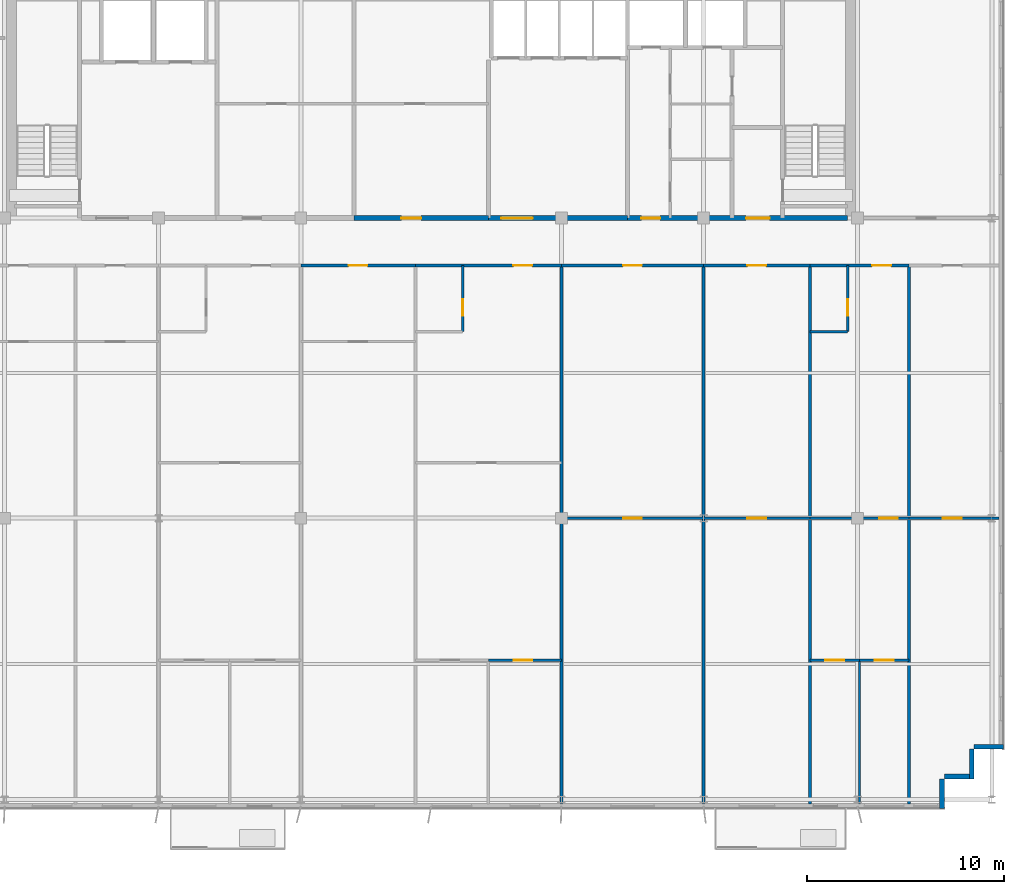
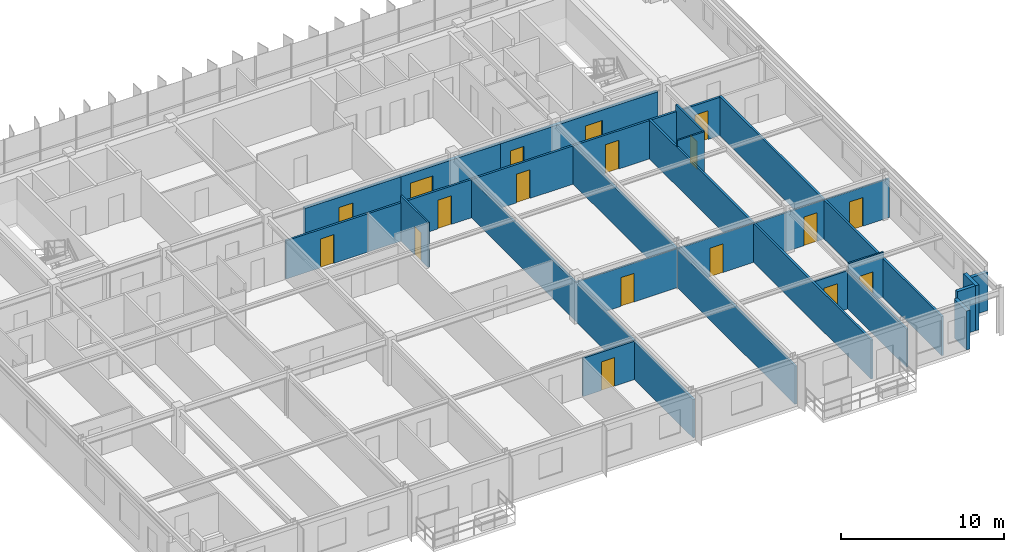
# One storey, part 18 of 23: 27 walls, 18 doors, 18 openings.
"""IFC4 building model written with IfcOpenShell, lengths in metres."""

import ifcopenshell
import ifcopenshell.guid

model = None  # the IFC model being written
_history = None  # IfcOwnerHistory: only IFC2X3 demands one
_inside = {}  # id of a spatial element -> (the spatial element, [elements in it])
_under = {}  # id of a project, library or spatial element -> (it, [spatial elements below it])
_declared = {}  # id of a project -> (the project, [libraries it declares])
_typed = {}  # id of a type object -> (the type object, [elements of that type])
_made_of = {}  # id of a material, layer set ... -> (it, [elements and type objects made of it])


def new_model(schema):
    """Start an empty IFC model of exactly this schema.

    Asked for "IFC4X3", IfcOpenShell would pick the latest addendum, in which some entities
    have other attributes; the version numbers below select the first issue.
    IFC2X3 requires an IfcOwnerHistory on every rooted entity: one is made here for all.
    """
    global model, _history
    if schema == "IFC4X3":
        model = ifcopenshell.file(schema_version=(4, 3, 0, 0))
    else:
        model = ifcopenshell.file(schema=schema)
    _inside.clear()
    _under.clear()
    _declared.clear()
    _typed.clear()
    _made_of.clear()
    _history = None
    if model.schema == "IFC2X3":
        org = make("IfcOrganization", Name="unknown")
        user = make(
            "IfcPersonAndOrganization",
            ThePerson=make("IfcPerson", FamilyName="unknown"),
            TheOrganization=org,
        )
        app = make(
            "IfcApplication",
            ApplicationDeveloper=org,
            Version="unknown",
            ApplicationFullName="unknown",
            ApplicationIdentifier="unknown",
        )
        _history = make(
            "IfcOwnerHistory",
            OwningUser=user,
            OwningApplication=app,
            ChangeAction="ADDED",
            CreationDate=0,
        )
    return model


def make(cls, **values):
    """One entity of the class cls with the attributes given. An attribute that is None is left unset."""
    return model.create_entity(
        cls, **{name: value for name, value in values.items() if value is not None}
    )


def rooted(cls, **values):
    """An entity with a GlobalId (a new one), such as an element, a storey or a relation."""
    return make(cls, GlobalId=ifcopenshell.guid.new(), OwnerHistory=_history, **values)


def si_unit(unit_type, name, prefix=None):
    """IfcSIUnit, for example si_unit("LENGTHUNIT", "METRE", prefix="MILLI")."""
    return make("IfcSIUnit", UnitType=unit_type, Prefix=prefix, Name=name)


def assignment(units):
    """IfcUnitAssignment: the units of a project."""
    return None if units is None else make("IfcUnitAssignment", Units=units)


def point(xyz):
    """IfcCartesianPoint."""
    return None if xyz is None else make("IfcCartesianPoint", Coordinates=xyz)


def direction(xyz):
    """IfcDirection."""
    return None if xyz is None else make("IfcDirection", DirectionRatios=xyz)


def frame(location, z_axis=None, x_axis=None):
    """IfcAxis2Placement3D, a coordinate frame: its origin and axes. An axis left out is left unset."""
    return make(
        "IfcAxis2Placement3D",
        Location=point(location),
        Axis=direction(z_axis),
        RefDirection=direction(x_axis),
    )


def frame_2d(location, x_axis=None):
    """IfcAxis2Placement2D, a coordinate frame in the plane: its origin and x axis."""
    return make(
        "IfcAxis2Placement2D", Location=point(location), RefDirection=direction(x_axis)
    )


def origin():
    """The frame at (0, 0, 0) with its axes left unset."""
    return frame((0.0, 0.0, 0.0))


def place(relative_to, where):
    """IfcLocalPlacement: puts the frame where relative to a parent placement (None: the world)."""
    return make(
        "IfcLocalPlacement", PlacementRelTo=relative_to, RelativePlacement=where
    )


def context(
    kind, dimensions, precision=None, world=None, true_north=None, identifier=None
):
    """IfcGeometricRepresentationContext, for example the 3D "Model" context."""
    return make(
        "IfcGeometricRepresentationContext",
        ContextIdentifier=identifier,
        ContextType=kind,
        CoordinateSpaceDimension=dimensions,
        Precision=precision,
        WorldCoordinateSystem=world,
        TrueNorth=true_north,
    )


def subcontext(parent, identifier, kind, view, scale=None):
    """IfcGeometricRepresentationSubContext, for example "Body" below "Model"."""
    return make(
        "IfcGeometricRepresentationSubContext",
        ContextIdentifier=identifier,
        ContextType=kind,
        ParentContext=parent,
        TargetScale=scale,
        TargetView=view,
    )


def project(units=None, contexts=None):
    """IfcProject with its units and contexts."""
    return rooted(
        "IfcProject",
        Name="project",
        RepresentationContexts=contexts,
        UnitsInContext=assignment(units),
    )


def spatial(cls, under=None, at=None, **own):
    """A site, building, storey or space (cls), placed at a placement, below another one or the project."""
    s = rooted(cls, ObjectPlacement=at, **own)
    if under is not None:
        _under.setdefault(under.id(), (under, []))[1].append(s)
    return s


def profile(cls, at=None, kind="AREA", **sizes):
    """A parametric profile (cls). Its sizes go by their IFC names, for example OverallWidth=200.0."""
    return make(cls, ProfileType=kind, Position=at, **sizes)


def rectangle(**sizes):
    """IfcRectangleProfileDef."""
    return profile("IfcRectangleProfileDef", **sizes)


def extrude(swept, where, along, depth):
    """IfcExtrudedAreaSolid: the profile swept, set in the frame where, extruded along a direction by depth."""
    return make(
        "IfcExtrudedAreaSolid",
        SweptArea=swept,
        Position=where,
        ExtrudedDirection=direction(along),
        Depth=depth,
    )


def shape(context_of_items, identifier, shape_type, items):
    """IfcShapeRepresentation: the items that make up one representation, for example the "Body"."""
    return make(
        "IfcShapeRepresentation",
        ContextOfItems=context_of_items,
        RepresentationIdentifier=identifier,
        RepresentationType=shape_type,
        Items=items,
    )


def source(mapping_origin, context_of_items, identifier, shape_type, items):
    """IfcRepresentationMap: a shape defined once, which mapped items show again and again."""
    return make(
        "IfcRepresentationMap",
        MappingOrigin=mapping_origin,
        MappedRepresentation=shape(context_of_items, identifier, shape_type, items),
    )


def transform(
    local_origin,
    x_axis=None,
    y_axis=None,
    z_axis=None,
    scale=None,
    scale2=None,
    scale3=None,
    uniform=True,
):
    """IfcCartesianTransformationOperator3D, or its non-uniform kind. x_axis, y_axis, z_axis: its Axis1, 2, 3."""
    if uniform:
        return make(
            "IfcCartesianTransformationOperator3D",
            Axis1=direction(x_axis),
            Axis2=direction(y_axis),
            LocalOrigin=point(local_origin),
            Scale=scale,
            Axis3=direction(z_axis),
        )
    return make(
        "IfcCartesianTransformationOperator3DnonUniform",
        Axis1=direction(x_axis),
        Axis2=direction(y_axis),
        LocalOrigin=point(local_origin),
        Scale=scale,
        Axis3=direction(z_axis),
        Scale2=scale2,
        Scale3=scale3,
    )


def mapped(mapping_source, mapping_target):
    """IfcMappedItem: shows the shape of a source again, moved by a transform."""
    return make(
        "IfcMappedItem", MappingSource=mapping_source, MappingTarget=mapping_target
    )


def material(Name=None, Category=None):
    """IfcMaterial."""
    return make("IfcMaterial", Name=Name, Category=Category)


def layer(
    of_material, thickness, ventilated=None, Name=None, Category=None, Priority=None
):
    """IfcMaterialLayer: one layer of a wall or slab, of a material (None: an air gap)."""
    return make(
        "IfcMaterialLayer",
        Material=of_material,
        LayerThickness=thickness,
        IsVentilated=ventilated,
        Name=Name,
        Category=Category,
        Priority=Priority,
    )


def layer_set(layers, Name=None):
    """IfcMaterialLayerSet."""
    return make("IfcMaterialLayerSet", MaterialLayers=layers, LayerSetName=Name)


def made_of(thing, what):
    """Note that an element or type object is made of a material, layer set ...; save() writes the relation."""
    if what is not None:
        _made_of.setdefault(what.id(), (what, []))[1].append(thing)
    return thing


def type_object(cls, material=None, **own):
    """A type object (cls), such as IfcWallType, which elements share."""
    return made_of(rooted(cls, **own), material)


def element(
    cls,
    number,
    at=None,
    inside=None,
    cuts=None,
    type_object=None,
    material=None,
    context=None,
    identifier="Body",
    shape_type=None,
    held_by="IfcProductDefinitionShape",
    body=None,
    shapes=None,
    **own,
):
    """One element of the class cls, such as IfcWall. Its Tag is "e" and its number.

    at: its placement. inside: the storey or other place that contains it. cuts: it is an
    opening in that element (IfcRelVoidsElement). A single representation is given by context,
    identifier, shape_type and body (its items); several are given by shapes. held_by: the class
    of the entity that holds the representations. save() writes the other relations.
    """
    e = rooted(cls, Tag="e%d" % number, ObjectPlacement=at, **own)
    if body is not None:
        shapes = [shape(context, identifier, shape_type, body)]
    if shapes is not None:
        e.Representation = make(held_by, Representations=shapes)
    if inside is not None:
        _inside.setdefault(inside.id(), (inside, []))[1].append(e)
    if cuts is not None:
        rooted(
            "IfcRelVoidsElement", RelatingBuildingElement=cuts, RelatedOpeningElement=e
        )
    if type_object is not None:
        _typed.setdefault(type_object.id(), (type_object, []))[1].append(e)
    return made_of(e, material)


def fill(opening, filler):
    """IfcRelFillsElement: the door or window that sits in an opening."""
    return rooted(
        "IfcRelFillsElement",
        RelatingOpeningElement=opening,
        RelatedBuildingElement=filler,
    )


def aggregate(whole, parts):
    """IfcRelAggregates: a whole, such as a stair, and the parts it consists of."""
    return rooted("IfcRelAggregates", RelatingObject=whole, RelatedObjects=parts)


def save(model, path):
    """Write the relations noted so far, then the file.

    IfcRelAggregates (storeys below a building ...), IfcRelContainedInSpatialStructure (elements
    in a storey), IfcRelDefinesByType, IfcRelAssociatesMaterial and IfcRelDeclares: one each for
    every whole, place, type object, material and project.
    """
    for whole, parts in _under.values():
        aggregate(whole, parts)
    for where, things in _inside.values():
        rooted(
            "IfcRelContainedInSpatialStructure",
            RelatedElements=things,
            RelatingStructure=where,
        )
    for kind, things in _typed.values():
        rooted("IfcRelDefinesByType", RelatedObjects=things, RelatingType=kind)
    for what, things in _made_of.values():
        rooted("IfcRelAssociatesMaterial", RelatedObjects=things, RelatingMaterial=what)
    for by, libraries in _declared.values():
        rooted("IfcRelDeclares", RelatingContext=by, RelatedDefinitions=libraries)
    model.write(path)


model = new_model("IFC4")

# Units and contexts
model_context = context("Model", 3, precision=1e-05, world=origin(), true_north=direction((0.0, 1.0)))
body_context = subcontext(model_context, "Body", "Model", "MODEL_VIEW")
ifc_project = project(units=[si_unit("LENGTHUNIT", "METRE"), si_unit("AREAUNIT", "SQUARE_METRE"), si_unit("VOLUMEUNIT", "CUBIC_METRE"), si_unit("PLANEANGLEUNIT", "RADIAN"), si_unit("MASSUNIT", "GRAM", prefix="KILO")], contexts=[model_context])

# Site, building, storey
site_placement = place(None, origin())
site = spatial("IfcSite", under=ifc_project, at=site_placement, CompositionType="ELEMENT")
building_placement = place(site_placement, origin())
building = spatial("IfcBuilding", under=site, at=building_placement, Name="Trelvane Seafront Commons", CompositionType="ELEMENT")
storey_placement = place(building_placement, frame((0.0, 0.0, 259.5)))
storey = spatial("IfcBuildingStorey", under=building, at=storey_placement, Name="L67", CompositionType="ELEMENT", Elevation=259.5)

# Walls
ifc_material_1 = material(Name="Precast concrete C40/50", Category="concrete")
ifc_layer_1 = layer(ifc_material_1, 0.239990234375, Name="ARCH-WALL-EXT240")
ifc_layer_set_1 = layer_set([ifc_layer_1], Name="Precast concrete C40/50")
wall_type_1 = type_object("IfcWallType", Name="ARCH-WALL-EXT240", PredefinedType="SOLIDWALL", material=ifc_layer_set_1)
wall_1_placement = place(storey_placement, frame((66.199951171875, 6.6201171875, 0.0), z_axis=(0.0, 0.0, 1.0), x_axis=(-1.0, 0.0, 0.0)))
element("IfcWall", 1, at=wall_1_placement, inside=storey, type_object=wall_type_1, Name="EW-L67-01355", PredefinedType="SOLIDWALL", context=body_context, shape_type="SweptSolid", body=[
    extrude(rectangle(XDim=1.5, YDim=0.239990234375, at=frame_2d((0.75, 0.0))), origin(), (0.0, 0.0, 1.0), 2.8701171875),
])
for number, where, z_axis, x_axis, name in (
    (2, (64.580078125, 6.5, 0.0), (0.0, 0.0, 1.0), (0.0, -1.0, 0.0), "EW-L67-01356"),
    (3, (64.699951171875, 5.1201171875, 0.0), (0.0, 0.0, 1.0), (-1.0, 0.0, 0.0), "EW-L67-01357"),
):
    element("IfcWall", number, at=place(storey_placement, frame(where, z_axis=z_axis, x_axis=x_axis)), inside=storey, type_object=wall_type_1, Name=name, PredefinedType="SOLIDWALL", context=body_context, shape_type="SweptSolid", body=[
        extrude(rectangle(XDim=1.5, YDim=0.239990234375, at=frame_2d((0.75, 0.0))), origin(), (0.0, 0.0, 1.0), 3.3701171875),
    ])
wall_2_placement = place(storey_placement, frame((63.080078125, 5.0, 0.0), z_axis=(0.0, 0.0, 1.0), x_axis=(0.0, -1.0, 0.0)))
element("IfcWall", 4, at=wall_2_placement, inside=storey, type_object=wall_type_1, Name="EW-L67-01358", PredefinedType="SOLIDWALL", context=body_context, shape_type="SweptSolid", body=[
    extrude(rectangle(XDim=1.5, YDim=0.239990234375, at=frame_2d((0.75, 0.0))), origin(), (0.0, 0.0, 1.0), 2.919921875),
])

# Wall, opening, door
ifc_material_2 = material(Name="Concrete C40/50", Category="concrete")
ifc_layer_2 = layer(ifc_material_2, 0.25, Name="ARCH-WALL-FIRE250")
ifc_layer_set_2 = layer_set([ifc_layer_2], Name="Concrete C40/50")
wall_type_2 = type_object("IfcWallType", Name="ARCH-WALL-FIRE250", PredefinedType="PARTITIONING", material=ifc_layer_set_2)
wall_3_placement = place(storey_placement, frame((33.300048828125, 33.39990234375, 0.0), z_axis=(0.0, 0.0, 1.0), x_axis=(1.0, 0.0, 0.0)))
wall_3 = element("IfcWall", 5, at=wall_3_placement, inside=storey, type_object=wall_type_2, Name="W-L67-CS-FPM-025", PredefinedType="PARTITIONING", context=body_context, shape_type="SweptSolid", body=[
    extrude(rectangle(XDim=6.800048828125, YDim=0.25, at=frame_2d((3.39990234375, 0.0))), origin(), (0.0, 0.0, 1.0), 2.919921875),
])
opening_1_placement = place(wall_3_placement, frame((2.39990234375, 0.0, 0.0)))
opening_1 = element("IfcOpeningElement", 6, at=opening_1_placement, cuts=wall_3, Name="Opening FD-L67-13", PredefinedType="OPENING", context=body_context, shape_type="SweptSolid", body=[
    extrude(rectangle(XDim=1.0, YDim=2.14990234375, at=frame_2d((0.5, 1.074951171875))), frame((0.0, 0.135009765625, 0.0), z_axis=(0.0, -1.0, 0.0), x_axis=(1.0, 0.0, 0.0)), (0.0, 0.0, 1.0), 0.27001953125),
])
ifc_material_3 = material(Name="Powder-coated aluminium frame", Category="aluminium")
door_type_1 = type_object("IfcDoorType", Name="ARCH-DR-FD60-1000", OperationType="NOTDEFINED", PredefinedType="DOOR", material=ifc_material_3)
shared_shape_1 = source(origin(), body_context, "Body", "SweptSolid", [
    extrude(rectangle(XDim=1.0, YDim=2.14990234375, at=frame_2d((0.5, 1.074951171875))), frame((0.0, 0.02490234375, 0.0), z_axis=(0.0, -1.0, 0.0), x_axis=(1.0, 0.0, 0.0)), (0.0, 0.0, 1.0), 0.050048828125),
])
door_1_placement = place(opening_1_placement, origin())
door_1 = element("IfcDoor", 7, at=door_1_placement, inside=storey, type_object=door_type_1, Name="L67 Trunk Storage Door", OperationType="SINGLE_SWING_LEFT", OverallHeight=2.14990234375, OverallWidth=1.0, PredefinedType="DOOR", context=body_context, shape_type="MappedRepresentation", body=[
    mapped(shared_shape_1, transform((0.0, 0.0, 0.0), x_axis=(1.0, 0.0, 0.0), y_axis=(0.0, 1.0, 0.0), z_axis=(0.0, 0.0, 1.0), scale=1.0)),
])
fill(opening_1, door_1)

wall_4_placement = place(storey_placement, frame((40.10009765625, 33.39990234375, 0.0), z_axis=(0.0, 0.0, 1.0), x_axis=(1.0, 0.0, 0.0)))
wall_4 = element("IfcWall", 8, at=wall_4_placement, inside=storey, type_object=wall_type_2, Name="W-L67-CS-PAX-026", PredefinedType="PARTITIONING", context=body_context, shape_type="SweptSolid", body=[
    extrude(rectangle(XDim=7.0498046875, YDim=0.25, at=frame_2d((3.52490234375, 0.0))), origin(), (0.0, 0.0, 1.0), 2.919921875),
])
opening_2_placement = place(wall_4_placement, frame((0.64990234375, 0.0, 0.0)))
opening_2 = element("IfcOpeningElement", 9, at=opening_2_placement, cuts=wall_4, Name="Opening FD-L67-14", PredefinedType="OPENING", context=body_context, shape_type="SweptSolid", body=[
    extrude(rectangle(XDim=1.60009765625, YDim=2.199951171875, at=frame_2d((0.800048828125, 1.10009765625))), frame((0.0, 0.135009765625, 0.0), z_axis=(0.0, -1.0, 0.0), x_axis=(1.0, 0.0, 0.0)), (0.0, 0.0, 1.0), 0.27001953125),
])
door_type_2 = type_object("IfcDoorType", Name="ARCH-DR-FD60-1600", OperationType="DOUBLE_DOOR_SINGLE_SWING", PredefinedType="DOOR", material=ifc_material_3)
shared_shape_2 = source(origin(), body_context, "Body", "SweptSolid", [
    extrude(rectangle(XDim=1.60009765625, YDim=2.199951171875, at=frame_2d((0.800048828125, 1.10009765625))), frame((0.0, 0.02490234375, 0.0), z_axis=(0.0, -1.0, 0.0), x_axis=(1.0, 0.0, 0.0)), (0.0, 0.0, 1.0), 0.050048828125),
])
door_2_placement = place(opening_2_placement, origin())
door_2 = element("IfcDoor", 10, at=door_2_placement, inside=storey, type_object=door_type_2, Name="L67 High-Rise Lift Lobby Double Door", OperationType="DOUBLE_DOOR_SINGLE_SWING", OverallHeight=2.199951171875, OverallWidth=1.60009765625, PredefinedType="DOOR", context=body_context, shape_type="MappedRepresentation", body=[
    mapped(shared_shape_2, transform((0.0, 0.0, 0.0), x_axis=(1.0, 0.0, 0.0), y_axis=(0.0, 1.0, 0.0), z_axis=(0.0, 0.0, 1.0), scale=1.0)),
])
fill(opening_2, door_2)

# Wall, openings, doors
wall_5_placement = place(storey_placement, frame((47.14990234375, 33.39990234375, 0.0), z_axis=(0.0, 0.0, 1.0), x_axis=(1.0, 0.0, 0.0)))
wall_5 = element("IfcWall", 11, at=wall_5_placement, inside=storey, type_object=wall_type_2, Name="W-L67-CS-EAST-035", PredefinedType="PARTITIONING", context=body_context, shape_type="SweptSolid", body=[
    extrude(rectangle(XDim=11.150146484375, YDim=0.25, at=frame_2d((5.5751953125, 0.0))), origin(), (0.0, 0.0, 1.0), 2.919921875),
])
opening_3_placement = place(wall_5_placement, frame((0.699951171875, 0.0, 0.0)))
opening_3 = element("IfcOpeningElement", 12, at=opening_3_placement, cuts=wall_5, Name="Opening FD-L67-21", PredefinedType="OPENING", context=body_context, shape_type="SweptSolid", body=[
    extrude(rectangle(XDim=0.949951171875, YDim=2.14990234375, at=frame_2d((0.47509765625, 1.074951171875))), frame((0.0, 0.135009765625, 0.0), z_axis=(0.0, -1.0, 0.0), x_axis=(1.0, 0.0, 0.0)), (0.0, 0.0, 1.0), 0.27001953125),
])
opening_4_placement = place(wall_5_placement, frame((6.0, 0.0, 0.0)))
opening_4 = element("IfcOpeningElement", 13, at=opening_4_placement, cuts=wall_5, Name="Opening FD-L67-22", PredefinedType="OPENING", context=body_context, shape_type="SweptSolid", body=[
    extrude(rectangle(XDim=1.199951171875, YDim=2.14990234375, at=frame_2d((0.60009765625, 1.074951171875))), frame((0.0, 0.135009765625, 0.0), z_axis=(0.0, -1.0, 0.0), x_axis=(1.0, 0.0, 0.0)), (0.0, 0.0, 1.0), 0.27001953125),
])
door_type_3 = type_object("IfcDoorType", Name="ARCH-DR-FD60-950", OperationType="NOTDEFINED", PredefinedType="DOOR", material=ifc_material_3)
shared_shape_3 = source(origin(), body_context, "Body", "SweptSolid", [
    extrude(rectangle(XDim=0.949951171875, YDim=2.14990234375, at=frame_2d((0.47509765625, 1.074951171875))), frame((0.0, 0.02490234375, 0.0), z_axis=(0.0, -1.0, 0.0), x_axis=(1.0, 0.0, 0.0)), (0.0, 0.0, 1.0), 0.050048828125),
])
door_3_placement = place(opening_3_placement, origin())
door_3 = element("IfcDoor", 14, at=door_3_placement, inside=storey, type_object=door_type_3, Name="L67 Core Service Lobby Door", OperationType="SINGLE_SWING_LEFT", OverallHeight=2.14990234375, OverallWidth=0.949951171875, PredefinedType="DOOR", context=body_context, shape_type="MappedRepresentation", body=[
    mapped(shared_shape_3, transform((0.0, 0.0, 0.0), x_axis=(1.0, 0.0, 0.0), y_axis=(0.0, 1.0, 0.0), z_axis=(0.0, 0.0, 1.0), scale=1.0)),
])
fill(opening_3, door_3)
door_type_4 = type_object("IfcDoorType", Name="ARCH-DR-FD60-1200", OperationType="NOTDEFINED", PredefinedType="DOOR", material=ifc_material_3)
shared_shape_4 = source(origin(), body_context, "Body", "SweptSolid", [
    extrude(rectangle(XDim=1.199951171875, YDim=2.14990234375, at=frame_2d((0.60009765625, 1.074951171875))), frame((0.0, 0.02490234375, 0.0), z_axis=(0.0, -1.0, 0.0), x_axis=(1.0, 0.0, 0.0)), (0.0, 0.0, 1.0), 0.050048828125),
])
door_4_placement = place(opening_4_placement, origin())
door_4 = element("IfcDoor", 15, at=door_4_placement, inside=storey, type_object=door_type_4, Name="L67 East Stair Vestibule Fire Door", OperationType="SINGLE_SWING_RIGHT", OverallHeight=2.14990234375, OverallWidth=1.199951171875, PredefinedType="DOOR", context=body_context, shape_type="MappedRepresentation", body=[
    mapped(shared_shape_4, transform((0.0, 0.0, 0.0), x_axis=(1.0, 0.0, 0.0), y_axis=(0.0, 1.0, 0.0), z_axis=(0.0, 0.0, 1.0), scale=1.0)),
])
fill(opening_4, door_4)

# Wall, opening, door
ifc_material_4 = material(Name="Gypsum Drywall Acoustic Partition")
ifc_layer_3 = layer(ifc_material_4, 0.1201171875, Name="ARCH-WALL-PART120")
ifc_layer_set_3 = layer_set([ifc_layer_3], Name="Gypsum Drywall Acoustic Partition")
wall_type_3 = type_object("IfcWallType", Name="ARCH-WALL-PART120", PredefinedType="PARTITIONING", material=ifc_layer_set_3)
wall_6_placement = place(storey_placement, frame((38.800048828125, 27.64990234375, 0.0), z_axis=(0.0, 0.0, 1.0), x_axis=(0.0, 1.0, 0.0)))
wall_6 = element("IfcWall", 16, at=wall_6_placement, inside=storey, type_object=wall_type_3, Name="W-L67-U6-BE-074", PredefinedType="PARTITIONING", context=body_context, shape_type="SweptSolid", body=[
    extrude(rectangle(XDim=3.35009765625, YDim=0.1201171875, at=frame_2d((1.675048828125, 0.0))), origin(), (0.0, 0.0, 1.0), 3.3701171875),
])
opening_5_placement = place(wall_6_placement, frame((0.800048828125, 0.0, 0.0)))
opening_5 = element("IfcOpeningElement", 17, at=opening_5_placement, cuts=wall_6, Name="Opening D-L67-47", PredefinedType="OPENING", context=body_context, shape_type="SweptSolid", body=[
    extrude(rectangle(XDim=0.85009765625, YDim=2.10009765625, at=frame_2d((0.425048828125, 1.050048828125))), frame((0.0, 0.070068359375, 0.0), z_axis=(0.0, -1.0, 0.0), x_axis=(1.0, 0.0, 0.0)), (0.0, 0.0, 1.0), 0.14013671875),
])
ifc_material_5 = material(Name="Acoustic timber door leaf", Category="wood")
door_type_5 = type_object("IfcDoorType", Name="ARCH-DR-INT850", OperationType="NOTDEFINED", PredefinedType="DOOR", material=ifc_material_5)
shared_shape_5 = source(origin(), body_context, "Body", "SweptSolid", [
    extrude(rectangle(XDim=0.85009765625, YDim=2.10009765625, at=frame_2d((0.425048828125, 1.050048828125))), frame((0.0, 0.02490234375, 0.0), z_axis=(0.0, -1.0, 0.0), x_axis=(1.0, 0.0, 0.0)), (0.0, 0.0, 1.0), 0.050048828125),
])
door_5_placement = place(opening_5_placement, origin())
door_5 = element("IfcDoor", 18, at=door_5_placement, inside=storey, type_object=door_type_5, Name="L67 Door 47", OperationType="SINGLE_SWING_LEFT", OverallHeight=2.10009765625, OverallWidth=0.85009765625, PredefinedType="DOOR", context=body_context, shape_type="MappedRepresentation", body=[
    mapped(shared_shape_5, transform((0.0, 0.0, 0.0), x_axis=(1.0, 0.0, 0.0), y_axis=(0.0, 1.0, 0.0), z_axis=(0.0, 0.0, 1.0), scale=1.0)),
])
fill(opening_5, door_5)

wall_7_placement = place(storey_placement, frame((40.10009765625, 11.0, 0.0), z_axis=(0.0, 0.0, 1.0), x_axis=(1.0, 0.0, 0.0)))
wall_7 = element("IfcWall", 19, at=wall_7_placement, inside=storey, type_object=wall_type_3, Name="W-L67-U6-YM-2-078", PredefinedType="PARTITIONING", context=body_context, shape_type="SweptSolid", body=[
    extrude(rectangle(XDim=3.699951171875, YDim=0.1201171875, at=frame_2d((1.85009765625, 0.0))), origin(), (0.0, 0.0, 1.0), 2.8701171875),
])
opening_6_placement = place(wall_7_placement, frame((1.284912109375, 0.0, 0.0)))
opening_6 = element("IfcOpeningElement", 20, at=opening_6_placement, cuts=wall_7, Name="Opening D-L67-50", PredefinedType="OPENING", context=body_context, shape_type="SweptSolid", body=[
    extrude(rectangle(XDim=0.949951171875, YDim=2.14990234375, at=frame_2d((0.47509765625, 1.074951171875))), frame((0.0, 0.070068359375, 0.0), z_axis=(0.0, -1.0, 0.0), x_axis=(1.0, 0.0, 0.0)), (0.0, 0.0, 1.0), 0.14013671875),
])
door_type_6 = type_object("IfcDoorType", Name="ARCH-DR-INT950", OperationType="NOTDEFINED", PredefinedType="DOOR", material=ifc_material_5)
door_6_placement = place(opening_6_placement, origin())
door_6 = element("IfcDoor", 21, at=door_6_placement, inside=storey, type_object=door_type_6, Name="L67 Door 50", OperationType="SINGLE_SWING_RIGHT", OverallHeight=2.14990234375, OverallWidth=0.949951171875, PredefinedType="DOOR", context=body_context, shape_type="MappedRepresentation", body=[
    mapped(shared_shape_3, transform((0.0, 0.0, 0.0), x_axis=(1.0, 0.0, 0.0), y_axis=(0.0, 1.0, 0.0), z_axis=(0.0, 0.0, 1.0), scale=1.0)),
])
fill(opening_6, door_6)

wall_8_placement = place(storey_placement, frame((43.800048828125, 18.199951171875, 0.0), z_axis=(0.0, 0.0, 1.0), x_axis=(1.0, 0.0, 0.0)))
wall_8 = element("IfcWall", 22, at=wall_8_placement, inside=storey, type_object=wall_type_3, Name="W-L67-U7-DIV-081", PredefinedType="PARTITIONING", context=body_context, shape_type="SweptSolid", body=[
    extrude(rectangle(XDim=7.199951171875, YDim=0.1201171875, at=frame_2d((3.60009765625, 0.0))), origin(), (0.0, 0.0, 1.0), 2.919921875),
])
opening_7_placement = place(wall_8_placement, frame((3.125, 0.0, 0.0)))
opening_7 = element("IfcOpeningElement", 23, at=opening_7_placement, cuts=wall_8, Name="Opening D-L67-52", PredefinedType="OPENING", context=body_context, shape_type="SweptSolid", body=[
    extrude(rectangle(XDim=0.949951171875, YDim=2.14990234375, at=frame_2d((0.47509765625, 1.074951171875))), frame((0.0, 0.070068359375, 0.0), z_axis=(0.0, -1.0, 0.0), x_axis=(1.0, 0.0, 0.0)), (0.0, 0.0, 1.0), 0.14013671875),
])
door_7_placement = place(opening_7_placement, origin())
door_7 = element("IfcDoor", 24, at=door_7_placement, inside=storey, type_object=door_type_6, Name="L67 Door 52", OperationType="SINGLE_SWING_RIGHT", OverallHeight=2.14990234375, OverallWidth=0.949951171875, PredefinedType="DOOR", context=body_context, shape_type="MappedRepresentation", body=[
    mapped(shared_shape_3, transform((0.0, 0.0, 0.0), x_axis=(1.0, 0.0, 0.0), y_axis=(0.0, 1.0, 0.0), z_axis=(0.0, 0.0, 1.0), scale=1.0)),
])
fill(opening_7, door_7)

wall_9_placement = place(storey_placement, frame((51.0, 18.199951171875, 0.0), z_axis=(0.0, 0.0, 1.0), x_axis=(1.0, 0.0, 0.0)))
wall_9 = element("IfcWall", 25, at=wall_9_placement, inside=storey, type_object=wall_type_3, Name="W-L67-U8-DIV-083", PredefinedType="PARTITIONING", context=body_context, shape_type="SweptSolid", body=[
    extrude(rectangle(XDim=5.39990234375, YDim=0.1201171875, at=frame_2d((2.699951171875, 0.0))), origin(), (0.0, 0.0, 1.0), 2.919921875),
])
opening_8_placement = place(wall_9_placement, frame((2.22509765625, 0.0, 0.0)))
opening_8 = element("IfcOpeningElement", 26, at=opening_8_placement, cuts=wall_9, Name="Opening D-L67-54", PredefinedType="OPENING", context=body_context, shape_type="SweptSolid", body=[
    extrude(rectangle(XDim=0.949951171875, YDim=2.14990234375, at=frame_2d((0.47509765625, 1.074951171875))), frame((0.0, 0.070068359375, 0.0), z_axis=(0.0, -1.0, 0.0), x_axis=(1.0, 0.0, 0.0)), (0.0, 0.0, 1.0), 0.14013671875),
])
door_8_placement = place(opening_8_placement, origin())
door_8 = element("IfcDoor", 27, at=door_8_placement, inside=storey, type_object=door_type_6, Name="L67 Door 54", OperationType="SINGLE_SWING_RIGHT", OverallHeight=2.14990234375, OverallWidth=0.949951171875, PredefinedType="DOOR", context=body_context, shape_type="MappedRepresentation", body=[
    mapped(shared_shape_3, transform((0.0, 0.0, 0.0), x_axis=(1.0, 0.0, 0.0), y_axis=(0.0, 1.0, 0.0), z_axis=(0.0, 0.0, 1.0), scale=1.0)),
])
fill(opening_8, door_8)

wall_10_placement = place(storey_placement, frame((56.39990234375, 18.199951171875, 0.0), z_axis=(0.0, 0.0, 1.0), x_axis=(1.0, 0.0, 0.0)))
wall_10 = element("IfcWall", 28, at=wall_10_placement, inside=storey, type_object=wall_type_3, Name="W-L67-U9-KL-084", PredefinedType="PARTITIONING", context=body_context, shape_type="SweptSolid", body=[
    extrude(rectangle(XDim=5.0, YDim=0.1201171875, at=frame_2d((2.5, 0.0))), origin(), (0.0, 0.0, 1.0), 2.919921875),
])
opening_9_placement = place(wall_10_placement, frame((3.487060546875, 0.0, 0.0)))
opening_9 = element("IfcOpeningElement", 29, at=opening_9_placement, cuts=wall_10, Name="Opening D-L67-55", PredefinedType="OPENING", context=body_context, shape_type="SweptSolid", body=[
    extrude(rectangle(XDim=0.949951171875, YDim=2.14990234375, at=frame_2d((0.47509765625, 1.074951171875))), frame((0.0, 0.070068359375, 0.0), z_axis=(0.0, -1.0, 0.0), x_axis=(1.0, 0.0, 0.0)), (0.0, 0.0, 1.0), 0.14013671875),
])
door_9_placement = place(opening_9_placement, origin())
door_9 = element("IfcDoor", 30, at=door_9_placement, inside=storey, type_object=door_type_6, Name="L67 Door 55", OperationType="SINGLE_SWING_LEFT", OverallHeight=2.14990234375, OverallWidth=0.949951171875, PredefinedType="DOOR", context=body_context, shape_type="MappedRepresentation", body=[
    mapped(shared_shape_3, transform((0.0, 0.0, 0.0), x_axis=(1.0, 0.0, 0.0), y_axis=(0.0, 1.0, 0.0), z_axis=(0.0, 0.0, 1.0), scale=1.0)),
])
fill(opening_9, door_9)

wall_11_placement = place(storey_placement, frame((58.300048828125, 27.64990234375, 0.0), z_axis=(0.0, 0.0, 1.0), x_axis=(0.0, 1.0, 0.0)))
wall_11 = element("IfcWall", 31, at=wall_11_placement, inside=storey, type_object=wall_type_3, Name="W-L67-U9-BE-085", PredefinedType="PARTITIONING", context=body_context, shape_type="SweptSolid", body=[
    extrude(rectangle(XDim=3.35009765625, YDim=0.1201171875, at=frame_2d((1.675048828125, 0.0))), origin(), (0.0, 0.0, 1.0), 3.3701171875),
])
opening_10_placement = place(wall_11_placement, frame((0.800048828125, 0.0, 0.0)))
opening_10 = element("IfcOpeningElement", 32, at=opening_10_placement, cuts=wall_11, Name="Opening D-L67-56", PredefinedType="OPENING", context=body_context, shape_type="SweptSolid", body=[
    extrude(rectangle(XDim=0.85009765625, YDim=2.10009765625, at=frame_2d((0.425048828125, 1.050048828125))), frame((0.0, 0.070068359375, 0.0), z_axis=(0.0, -1.0, 0.0), x_axis=(1.0, 0.0, 0.0)), (0.0, 0.0, 1.0), 0.14013671875),
])
door_10_placement = place(opening_10_placement, origin())
door_10 = element("IfcDoor", 33, at=door_10_placement, inside=storey, type_object=door_type_5, Name="L67 Door 56", OperationType="SINGLE_SWING_RIGHT", OverallHeight=2.10009765625, OverallWidth=0.85009765625, PredefinedType="DOOR", context=body_context, shape_type="MappedRepresentation", body=[
    mapped(shared_shape_5, transform((0.0, 0.0, 0.0), x_axis=(1.0, 0.0, 0.0), y_axis=(0.0, 1.0, 0.0), z_axis=(0.0, 0.0, 1.0), scale=1.0)),
])
fill(opening_10, door_10)

# Wall
wall_12_placement = place(storey_placement, frame((56.39990234375, 27.64990234375, 0.0), z_axis=(0.0, 0.0, 1.0), x_axis=(1.0, 0.0, 0.0)))
element("IfcWall", 34, at=wall_12_placement, inside=storey, type_object=wall_type_3, Name="W-L67-U9-BS-086", PredefinedType="PARTITIONING", context=body_context, shape_type="SweptSolid", body=[
    extrude(rectangle(XDim=1.900146484375, YDim=0.1201171875, at=frame_2d((0.9501953125, 0.0))), origin(), (0.0, 0.0, 1.0), 3.3701171875),
])

# Wall, opening, door
wall_13_placement = place(storey_placement, frame((56.39990234375, 11.0, 0.0), z_axis=(0.0, 0.0, 1.0), x_axis=(1.0, 0.0, 0.0)))
wall_13 = element("IfcWall", 35, at=wall_13_placement, inside=storey, type_object=wall_type_3, Name="W-L67-U9-YM-1-088", PredefinedType="PARTITIONING", context=body_context, shape_type="SweptSolid", body=[
    extrude(rectangle(XDim=2.5, YDim=0.1201171875, at=frame_2d((1.25, 0.0))), origin(), (0.0, 0.0, 1.0), 2.8701171875),
])
opening_11_placement = place(wall_13_placement, frame((0.77490234375, 0.0, 0.0)))
opening_11 = element("IfcOpeningElement", 36, at=opening_11_placement, cuts=wall_13, Name="Opening D-L67-58", PredefinedType="OPENING", context=body_context, shape_type="SweptSolid", body=[
    extrude(rectangle(XDim=0.949951171875, YDim=2.14990234375, at=frame_2d((0.47509765625, 1.074951171875))), frame((0.0, 0.070068359375, 0.0), z_axis=(0.0, -1.0, 0.0), x_axis=(1.0, 0.0, 0.0)), (0.0, 0.0, 1.0), 0.14013671875),
])
door_11_placement = place(opening_11_placement, origin())
door_11 = element("IfcDoor", 37, at=door_11_placement, inside=storey, type_object=door_type_6, Name="L67 Door 58", OperationType="SINGLE_SWING_RIGHT", OverallHeight=2.14990234375, OverallWidth=0.949951171875, PredefinedType="DOOR", context=body_context, shape_type="MappedRepresentation", body=[
    mapped(shared_shape_3, transform((0.0, 0.0, 0.0), x_axis=(1.0, 0.0, 0.0), y_axis=(0.0, 1.0, 0.0), z_axis=(0.0, 0.0, 1.0), scale=1.0)),
])
fill(opening_11, door_11)

wall_14_placement = place(storey_placement, frame((58.89990234375, 11.0, 0.0), z_axis=(0.0, 0.0, 1.0), x_axis=(1.0, 0.0, 0.0)))
wall_14 = element("IfcWall", 38, at=wall_14_placement, inside=storey, type_object=wall_type_3, Name="W-L67-U9-YM-2-089", PredefinedType="PARTITIONING", context=body_context, shape_type="SweptSolid", body=[
    extrude(rectangle(XDim=2.5, YDim=0.1201171875, at=frame_2d((1.25, 0.0))), origin(), (0.0, 0.0, 1.0), 3.3701171875),
])
opening_12_placement = place(wall_14_placement, frame((0.77490234375, 0.0, 0.0)))
opening_12 = element("IfcOpeningElement", 39, at=opening_12_placement, cuts=wall_14, Name="Opening D-L67-59", PredefinedType="OPENING", context=body_context, shape_type="SweptSolid", body=[
    extrude(rectangle(XDim=0.949951171875, YDim=2.14990234375, at=frame_2d((0.47509765625, 1.074951171875))), frame((0.0, 0.070068359375, 0.0), z_axis=(0.0, -1.0, 0.0), x_axis=(1.0, 0.0, 0.0)), (0.0, 0.0, 1.0), 0.14013671875),
])
door_12_placement = place(opening_12_placement, origin())
door_12 = element("IfcDoor", 40, at=door_12_placement, inside=storey, type_object=door_type_6, Name="L67 Door 59", OperationType="SINGLE_SWING_LEFT", OverallHeight=2.14990234375, OverallWidth=0.949951171875, PredefinedType="DOOR", context=body_context, shape_type="MappedRepresentation", body=[
    mapped(shared_shape_3, transform((0.0, 0.0, 0.0), x_axis=(1.0, 0.0, 0.0), y_axis=(0.0, 1.0, 0.0), z_axis=(0.0, 0.0, 1.0), scale=1.0)),
])
fill(opening_12, door_12)

# Wall
wall_15_placement = place(storey_placement, frame((58.89990234375, 3.72509765625, 0.0), z_axis=(0.0, 0.0, 1.0), x_axis=(0.0, 1.0, 0.0)))
element("IfcWall", 41, at=wall_15_placement, inside=storey, type_object=wall_type_3, Name="W-L67-U9-BDV-1-090", PredefinedType="PARTITIONING", context=body_context, shape_type="SweptSolid", body=[
    extrude(rectangle(XDim=7.27490234375, YDim=0.1201171875, at=frame_2d((3.637451171875, 0.0))), origin(), (0.0, 0.0, 1.0), 2.8701171875),
])

# Wall, opening, door
wall_16_placement = place(storey_placement, frame((61.39990234375, 18.199951171875, 0.0), z_axis=(0.0, 0.0, 1.0), x_axis=(1.0, 0.0, 0.0)))
wall_16 = element("IfcWall", 42, at=wall_16_placement, inside=storey, type_object=wall_type_3, Name="W-L67-U10-DIV-092", PredefinedType="PARTITIONING", context=body_context, shape_type="SweptSolid", body=[
    extrude(rectangle(XDim=4.5751953125, YDim=0.1201171875, at=frame_2d((2.28759765625, 0.0))), origin(), (0.0, 0.0, 1.0), 2.919921875),
])
opening_13_placement = place(wall_16_placement, frame((1.717041015625, 0.0, 0.0)))
opening_13 = element("IfcOpeningElement", 43, at=opening_13_placement, cuts=wall_16, Name="Opening D-L67-61", PredefinedType="OPENING", context=body_context, shape_type="SweptSolid", body=[
    extrude(rectangle(XDim=0.949951171875, YDim=2.14990234375, at=frame_2d((0.47509765625, 1.074951171875))), frame((0.0, 0.070068359375, 0.0), z_axis=(0.0, -1.0, 0.0), x_axis=(1.0, 0.0, 0.0)), (0.0, 0.0, 1.0), 0.14013671875),
])
door_13_placement = place(opening_13_placement, origin())
door_13 = element("IfcDoor", 44, at=door_13_placement, inside=storey, type_object=door_type_6, Name="L67 Door 61", OperationType="SINGLE_SWING_LEFT", OverallHeight=2.14990234375, OverallWidth=0.949951171875, PredefinedType="DOOR", context=body_context, shape_type="MappedRepresentation", body=[
    mapped(shared_shape_3, transform((0.0, 0.0, 0.0), x_axis=(1.0, 0.0, 0.0), y_axis=(0.0, 1.0, 0.0), z_axis=(0.0, 0.0, 1.0), scale=1.0)),
])
fill(opening_13, door_13)

# Walls
ifc_layer_4 = layer(ifc_material_4, 0.14990234375, Name="ARCH-WALL-PART150")
ifc_layer_set_4 = layer_set([ifc_layer_4], Name="Gypsum Drywall Acoustic Partition")
wall_type_4 = type_object("IfcWallType", Name="ARCH-WALL-PART150", PredefinedType="PARTITIONING", material=ifc_layer_set_4)
for number, where, z_axis, x_axis, name in (
    (45, (43.800048828125, 3.72509765625, 0.0), (0.0, 0.0, 1.0), (0.0, 1.0, 0.0), "W-L67-PW-6-051"),
    (46, (51.0, 3.72509765625, 0.0), (0.0, 0.0, 1.0), (0.0, 1.0, 0.0), "W-L67-PW-7-052"),
):
    element("IfcWall", number, at=place(storey_placement, frame(where, z_axis=z_axis, x_axis=x_axis)), inside=storey, type_object=wall_type_4, Name=name, PredefinedType="PARTITIONING", context=body_context, shape_type="SweptSolid", body=[
        extrude(rectangle(XDim=27.27490234375, YDim=0.14990234375, at=frame_2d((13.637451171875, 0.0))), origin(), (0.0, 0.0, 1.0), 2.8701171875),
    ])
for number, where, z_axis, x_axis, name in (
    (47, (56.39990234375, 3.72509765625, 0.0), (0.0, 0.0, 1.0), (0.0, 1.0, 0.0), "W-L67-PW-8-053"),
    (48, (61.39990234375, 3.72509765625, 0.0), (0.0, 0.0, 1.0), (0.0, 1.0, 0.0), "W-L67-PW-9-054"),
):
    element("IfcWall", number, at=place(storey_placement, frame(where, z_axis=z_axis, x_axis=x_axis)), inside=storey, type_object=wall_type_4, Name=name, PredefinedType="PARTITIONING", context=body_context, shape_type="SweptSolid", body=[
        extrude(rectangle(XDim=27.27490234375, YDim=0.14990234375, at=frame_2d((13.637451171875, 0.0))), origin(), (0.0, 0.0, 1.0), 2.919921875),
    ])

# Wall, opening, door
wall_17_placement = place(storey_placement, frame((30.60009765625, 31.0, 0.0), z_axis=(0.0, 0.0, 1.0), x_axis=(1.0, 0.0, 0.0)))
wall_17 = element("IfcWall", 49, at=wall_17_placement, inside=storey, type_object=wall_type_4, Name="W-L67-CS-BAY-5-071", PredefinedType="PARTITIONING", context=body_context, shape_type="SweptSolid", body=[
    extrude(rectangle(XDim=5.7998046875, YDim=0.14990234375, at=frame_2d((2.89990234375, 0.0))), origin(), (0.0, 0.0, 1.0), 2.8701171875),
])
opening_14_placement = place(wall_17_placement, frame((2.425048828125, 0.0, 0.0)))
opening_14 = element("IfcOpeningElement", 50, at=opening_14_placement, cuts=wall_17, Name="Opening FD-L67-44", PredefinedType="OPENING", context=body_context, shape_type="SweptSolid", body=[
    extrude(rectangle(XDim=0.949951171875, YDim=2.14990234375, at=frame_2d((0.47509765625, 1.074951171875))), frame((0.0, 0.0849609375, 0.0), z_axis=(0.0, -1.0, 0.0), x_axis=(1.0, 0.0, 0.0)), (0.0, 0.0, 1.0), 0.169921875),
])
door_14_placement = place(opening_14_placement, origin())
door_14 = element("IfcDoor", 51, at=door_14_placement, inside=storey, type_object=door_type_3, Name="L67 Bay 05 Entrance Door", OperationType="SINGLE_SWING_RIGHT", OverallHeight=2.14990234375, OverallWidth=0.949951171875, PredefinedType="DOOR", context=body_context, shape_type="MappedRepresentation", body=[
    mapped(shared_shape_3, transform((0.0, 0.0, 0.0), x_axis=(1.0, 0.0, 0.0), y_axis=(0.0, 1.0, 0.0), z_axis=(0.0, 0.0, 1.0), scale=1.0)),
])
fill(opening_14, door_14)

wall_18_placement = place(storey_placement, frame((36.39990234375, 31.0, 0.0), z_axis=(0.0, 0.0, 1.0), x_axis=(1.0, 0.0, 0.0)))
wall_18 = element("IfcWall", 52, at=wall_18_placement, inside=storey, type_object=wall_type_4, Name="W-L67-CS-BAY-6-076", PredefinedType="PARTITIONING", context=body_context, shape_type="SweptSolid", body=[
    extrude(rectangle(XDim=7.400146484375, YDim=0.14990234375, at=frame_2d((3.7001953125, 0.0))), origin(), (0.0, 0.0, 1.0), 2.8701171875),
])
opening_15_placement = place(wall_18_placement, frame((4.967041015625, 0.0, 0.0)))
opening_15 = element("IfcOpeningElement", 53, at=opening_15_placement, cuts=wall_18, Name="Opening FD-L67-48", PredefinedType="OPENING", context=body_context, shape_type="SweptSolid", body=[
    extrude(rectangle(XDim=0.949951171875, YDim=2.14990234375, at=frame_2d((0.47509765625, 1.074951171875))), frame((0.0, 0.0849609375, 0.0), z_axis=(0.0, -1.0, 0.0), x_axis=(1.0, 0.0, 0.0)), (0.0, 0.0, 1.0), 0.169921875),
])
door_15_placement = place(opening_15_placement, origin())
door_15 = element("IfcDoor", 54, at=door_15_placement, inside=storey, type_object=door_type_3, Name="L67 Unit 06 Entrance Door", OperationType="SINGLE_SWING_RIGHT", OverallHeight=2.14990234375, OverallWidth=0.949951171875, PredefinedType="DOOR", context=body_context, shape_type="MappedRepresentation", body=[
    mapped(shared_shape_3, transform((0.0, 0.0, 0.0), x_axis=(1.0, 0.0, 0.0), y_axis=(0.0, 1.0, 0.0), z_axis=(0.0, 0.0, 1.0), scale=1.0)),
])
fill(opening_15, door_15)

wall_19_placement = place(storey_placement, frame((43.800048828125, 31.0, 0.0), z_axis=(0.0, 0.0, 1.0), x_axis=(1.0, 0.0, 0.0)))
wall_19 = element("IfcWall", 55, at=wall_19_placement, inside=storey, type_object=wall_type_4, Name="W-L67-CS-BAY-7-080", PredefinedType="PARTITIONING", context=body_context, shape_type="SweptSolid", body=[
    extrude(rectangle(XDim=7.199951171875, YDim=0.14990234375, at=frame_2d((3.60009765625, 0.0))), origin(), (0.0, 0.0, 1.0), 2.8701171875),
])
opening_16_placement = place(wall_19_placement, frame((3.125, 0.0, 0.0)))
opening_16 = element("IfcOpeningElement", 56, at=opening_16_placement, cuts=wall_19, Name="Opening FD-L67-51", PredefinedType="OPENING", context=body_context, shape_type="SweptSolid", body=[
    extrude(rectangle(XDim=0.949951171875, YDim=2.14990234375, at=frame_2d((0.47509765625, 1.074951171875))), frame((0.0, 0.0849609375, 0.0), z_axis=(0.0, -1.0, 0.0), x_axis=(1.0, 0.0, 0.0)), (0.0, 0.0, 1.0), 0.169921875),
])
door_16_placement = place(opening_16_placement, origin())
door_16 = element("IfcDoor", 57, at=door_16_placement, inside=storey, type_object=door_type_3, Name="L67 Bay 07 Entrance Door", OperationType="SINGLE_SWING_LEFT", OverallHeight=2.14990234375, OverallWidth=0.949951171875, PredefinedType="DOOR", context=body_context, shape_type="MappedRepresentation", body=[
    mapped(shared_shape_3, transform((0.0, 0.0, 0.0), x_axis=(1.0, 0.0, 0.0), y_axis=(0.0, 1.0, 0.0), z_axis=(0.0, 0.0, 1.0), scale=1.0)),
])
fill(opening_16, door_16)

wall_20_placement = place(storey_placement, frame((51.0, 31.0, 0.0), z_axis=(0.0, 0.0, 1.0), x_axis=(1.0, 0.0, 0.0)))
wall_20 = element("IfcWall", 58, at=wall_20_placement, inside=storey, type_object=wall_type_4, Name="W-L67-CS-BAY-8-082", PredefinedType="PARTITIONING", context=body_context, shape_type="SweptSolid", body=[
    extrude(rectangle(XDim=5.39990234375, YDim=0.14990234375, at=frame_2d((2.699951171875, 0.0))), origin(), (0.0, 0.0, 1.0), 2.8701171875),
])
opening_17_placement = place(wall_20_placement, frame((2.22509765625, 0.0, 0.0)))
opening_17 = element("IfcOpeningElement", 59, at=opening_17_placement, cuts=wall_20, Name="Opening FD-L67-53", PredefinedType="OPENING", context=body_context, shape_type="SweptSolid", body=[
    extrude(rectangle(XDim=0.949951171875, YDim=2.14990234375, at=frame_2d((0.47509765625, 1.074951171875))), frame((0.0, 0.0849609375, 0.0), z_axis=(0.0, -1.0, 0.0), x_axis=(1.0, 0.0, 0.0)), (0.0, 0.0, 1.0), 0.169921875),
])
door_17_placement = place(opening_17_placement, origin())
door_17 = element("IfcDoor", 60, at=door_17_placement, inside=storey, type_object=door_type_3, Name="L67 Bay 08 Entrance Door", OperationType="SINGLE_SWING_LEFT", OverallHeight=2.14990234375, OverallWidth=0.949951171875, PredefinedType="DOOR", context=body_context, shape_type="MappedRepresentation", body=[
    mapped(shared_shape_3, transform((0.0, 0.0, 0.0), x_axis=(1.0, 0.0, 0.0), y_axis=(0.0, 1.0, 0.0), z_axis=(0.0, 0.0, 1.0), scale=1.0)),
])
fill(opening_17, door_17)

wall_21_placement = place(storey_placement, frame((56.39990234375, 31.0, 0.0), z_axis=(0.0, 0.0, 1.0), x_axis=(1.0, 0.0, 0.0)))
wall_21 = element("IfcWall", 61, at=wall_21_placement, inside=storey, type_object=wall_type_4, Name="W-L67-CS-BAY-9-087", PredefinedType="PARTITIONING", context=body_context, shape_type="SweptSolid", body=[
    extrude(rectangle(XDim=5.0, YDim=0.14990234375, at=frame_2d((2.5, 0.0))), origin(), (0.0, 0.0, 1.0), 2.8701171875),
])
opening_18_placement = place(wall_21_placement, frame((3.14404296875, 0.0, 0.0)))
opening_18 = element("IfcOpeningElement", 62, at=opening_18_placement, cuts=wall_21, Name="Opening FD-L67-57", PredefinedType="OPENING", context=body_context, shape_type="SweptSolid", body=[
    extrude(rectangle(XDim=0.949951171875, YDim=2.14990234375, at=frame_2d((0.47509765625, 1.074951171875))), frame((0.0, 0.0849609375, 0.0), z_axis=(0.0, -1.0, 0.0), x_axis=(1.0, 0.0, 0.0)), (0.0, 0.0, 1.0), 0.169921875),
])
door_18_placement = place(opening_18_placement, origin())
door_18 = element("IfcDoor", 63, at=door_18_placement, inside=storey, type_object=door_type_3, Name="L67 Unit 09 Entrance Door", OperationType="SINGLE_SWING_LEFT", OverallHeight=2.14990234375, OverallWidth=0.949951171875, PredefinedType="DOOR", context=body_context, shape_type="MappedRepresentation", body=[
    mapped(shared_shape_3, transform((0.0, 0.0, 0.0), x_axis=(1.0, 0.0, 0.0), y_axis=(0.0, 1.0, 0.0), z_axis=(0.0, 0.0, 1.0), scale=1.0)),
])
fill(opening_18, door_18)

save(model, "model.ifc")
